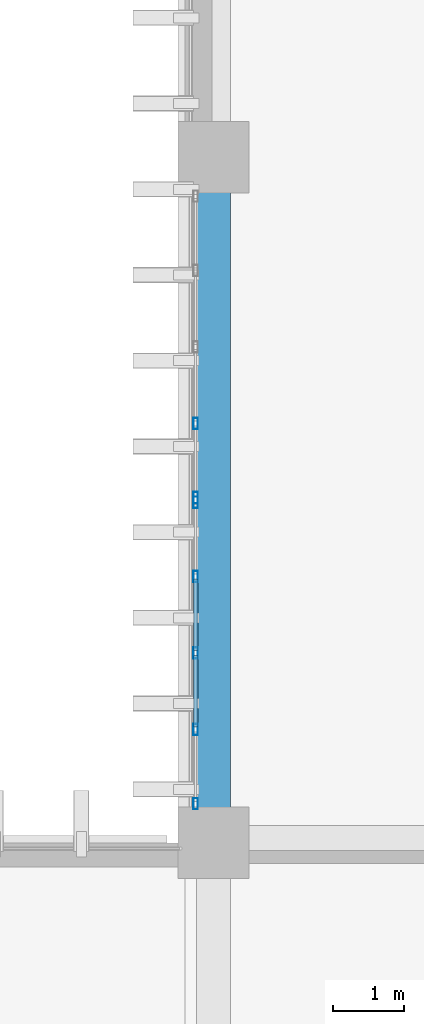
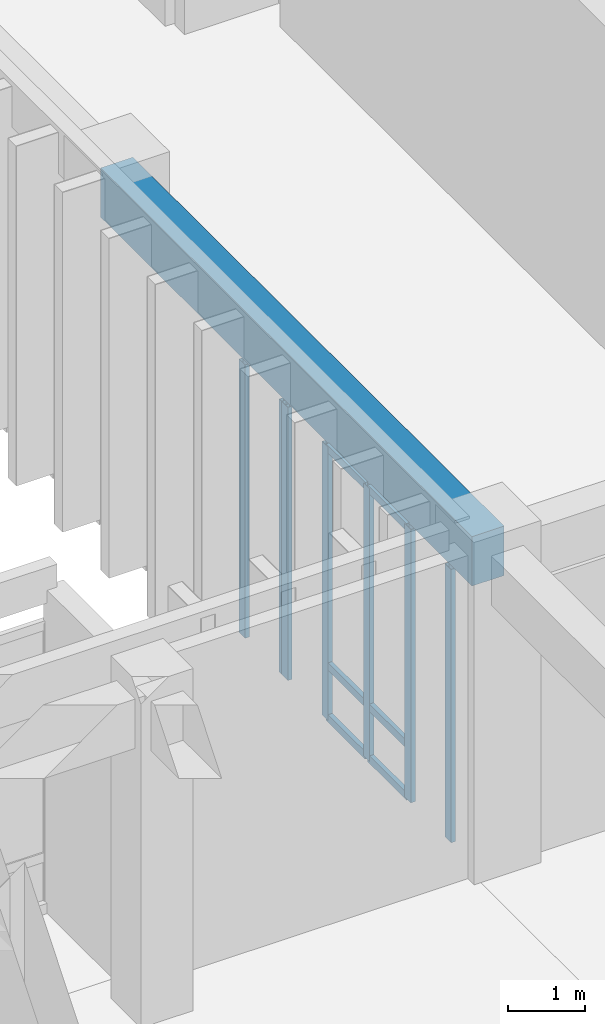
# One storey, part 78 of 134: 13 members, 1 beam, 2 elements without a shape of their own.
"""IFC4 building model written with IfcOpenShell, lengths in metres."""

import ifcopenshell
import ifcopenshell.guid

model = None  # the IFC model being written
_history = None  # IfcOwnerHistory: only IFC2X3 demands one
_inside = {}  # id of a spatial element -> (the spatial element, [elements in it])
_under = {}  # id of a project, library or spatial element -> (it, [spatial elements below it])
_declared = {}  # id of a project -> (the project, [libraries it declares])
_typed = {}  # id of a type object -> (the type object, [elements of that type])
_made_of = {}  # id of a material, layer set ... -> (it, [elements and type objects made of it])


def new_model(schema):
    """Start an empty IFC model of exactly this schema.

    Asked for "IFC4X3", IfcOpenShell would pick the latest addendum, in which some entities
    have other attributes; the version numbers below select the first issue.
    IFC2X3 requires an IfcOwnerHistory on every rooted entity: one is made here for all.
    """
    global model, _history
    if schema == "IFC4X3":
        model = ifcopenshell.file(schema_version=(4, 3, 0, 0))
    else:
        model = ifcopenshell.file(schema=schema)
    _inside.clear()
    _under.clear()
    _declared.clear()
    _typed.clear()
    _made_of.clear()
    _history = None
    if model.schema == "IFC2X3":
        org = make("IfcOrganization", Name="unknown")
        user = make(
            "IfcPersonAndOrganization",
            ThePerson=make("IfcPerson", FamilyName="unknown"),
            TheOrganization=org,
        )
        app = make(
            "IfcApplication",
            ApplicationDeveloper=org,
            Version="unknown",
            ApplicationFullName="unknown",
            ApplicationIdentifier="unknown",
        )
        _history = make(
            "IfcOwnerHistory",
            OwningUser=user,
            OwningApplication=app,
            ChangeAction="ADDED",
            CreationDate=0,
        )
    return model


def make(cls, **values):
    """One entity of the class cls with the attributes given. An attribute that is None is left unset."""
    return model.create_entity(
        cls, **{name: value for name, value in values.items() if value is not None}
    )


def rooted(cls, **values):
    """An entity with a GlobalId (a new one), such as an element, a storey or a relation."""
    return make(cls, GlobalId=ifcopenshell.guid.new(), OwnerHistory=_history, **values)


def si_unit(unit_type, name, prefix=None):
    """IfcSIUnit, for example si_unit("LENGTHUNIT", "METRE", prefix="MILLI")."""
    return make("IfcSIUnit", UnitType=unit_type, Prefix=prefix, Name=name)


def assignment(units):
    """IfcUnitAssignment: the units of a project."""
    return None if units is None else make("IfcUnitAssignment", Units=units)


def point(xyz):
    """IfcCartesianPoint."""
    return None if xyz is None else make("IfcCartesianPoint", Coordinates=xyz)


def direction(xyz):
    """IfcDirection."""
    return None if xyz is None else make("IfcDirection", DirectionRatios=xyz)


def frame(location, z_axis=None, x_axis=None):
    """IfcAxis2Placement3D, a coordinate frame: its origin and axes. An axis left out is left unset."""
    return make(
        "IfcAxis2Placement3D",
        Location=point(location),
        Axis=direction(z_axis),
        RefDirection=direction(x_axis),
    )


def frame_2d(location, x_axis=None):
    """IfcAxis2Placement2D, a coordinate frame in the plane: its origin and x axis."""
    return make(
        "IfcAxis2Placement2D", Location=point(location), RefDirection=direction(x_axis)
    )


def origin():
    """The frame at (0, 0, 0) with its axes left unset."""
    return frame((0.0, 0.0, 0.0))


def origin_2d():
    """The frame at (0, 0) in the plane with its x axis left unset."""
    return frame_2d((0.0, 0.0))


def place(relative_to, where):
    """IfcLocalPlacement: puts the frame where relative to a parent placement (None: the world)."""
    return make(
        "IfcLocalPlacement", PlacementRelTo=relative_to, RelativePlacement=where
    )


def context(
    kind, dimensions, precision=None, world=None, true_north=None, identifier=None
):
    """IfcGeometricRepresentationContext, for example the 3D "Model" context."""
    return make(
        "IfcGeometricRepresentationContext",
        ContextIdentifier=identifier,
        ContextType=kind,
        CoordinateSpaceDimension=dimensions,
        Precision=precision,
        WorldCoordinateSystem=world,
        TrueNorth=true_north,
    )


def subcontext(parent, identifier, kind, view, scale=None):
    """IfcGeometricRepresentationSubContext, for example "Body" below "Model"."""
    return make(
        "IfcGeometricRepresentationSubContext",
        ContextIdentifier=identifier,
        ContextType=kind,
        ParentContext=parent,
        TargetScale=scale,
        TargetView=view,
    )


def project(units=None, contexts=None):
    """IfcProject with its units and contexts."""
    return rooted(
        "IfcProject",
        Name="project",
        RepresentationContexts=contexts,
        UnitsInContext=assignment(units),
    )


def spatial(cls, under=None, at=None, **own):
    """A site, building, storey or space (cls), placed at a placement, below another one or the project."""
    s = rooted(cls, ObjectPlacement=at, **own)
    if under is not None:
        _under.setdefault(under.id(), (under, []))[1].append(s)
    return s


def profile(cls, at=None, kind="AREA", **sizes):
    """A parametric profile (cls). Its sizes go by their IFC names, for example OverallWidth=200.0."""
    return make(cls, ProfileType=kind, Position=at, **sizes)


def rectangle(**sizes):
    """IfcRectangleProfileDef."""
    return profile("IfcRectangleProfileDef", **sizes)


def hollow_rectangle(**sizes):
    """IfcRectangleHollowProfileDef."""
    return profile("IfcRectangleHollowProfileDef", **sizes)


def extrude(swept, where, along, depth):
    """IfcExtrudedAreaSolid: the profile swept, set in the frame where, extruded along a direction by depth."""
    return make(
        "IfcExtrudedAreaSolid",
        SweptArea=swept,
        Position=where,
        ExtrudedDirection=direction(along),
        Depth=depth,
    )


def shape(context_of_items, identifier, shape_type, items):
    """IfcShapeRepresentation: the items that make up one representation, for example the "Body"."""
    return make(
        "IfcShapeRepresentation",
        ContextOfItems=context_of_items,
        RepresentationIdentifier=identifier,
        RepresentationType=shape_type,
        Items=items,
    )


def material(Name=None, Category=None):
    """IfcMaterial."""
    return make("IfcMaterial", Name=Name, Category=Category)


def layer(
    of_material, thickness, ventilated=None, Name=None, Category=None, Priority=None
):
    """IfcMaterialLayer: one layer of a wall or slab, of a material (None: an air gap)."""
    return make(
        "IfcMaterialLayer",
        Material=of_material,
        LayerThickness=thickness,
        IsVentilated=ventilated,
        Name=Name,
        Category=Category,
        Priority=Priority,
    )


def layer_set(layers, Name=None):
    """IfcMaterialLayerSet."""
    return make("IfcMaterialLayerSet", MaterialLayers=layers, LayerSetName=Name)


def material_profile(
    of_material, cross_section, Name=None, Category=None, Priority=None
):
    """IfcMaterialProfile: a cross section and its material."""
    return make(
        "IfcMaterialProfile",
        Name=Name,
        Material=of_material,
        Profile=cross_section,
        Priority=Priority,
        Category=Category,
    )


def profile_set(profiles, Name=None, composite=None):
    """IfcMaterialProfileSet."""
    return make(
        "IfcMaterialProfileSet",
        Name=Name,
        MaterialProfiles=profiles,
        CompositeProfile=composite,
    )


def made_of(thing, what):
    """Note that an element or type object is made of a material, layer set ...; save() writes the relation."""
    if what is not None:
        _made_of.setdefault(what.id(), (what, []))[1].append(thing)
    return thing


def type_object(cls, material=None, **own):
    """A type object (cls), such as IfcWallType, which elements share."""
    return made_of(rooted(cls, **own), material)


def element(
    cls,
    number,
    at=None,
    inside=None,
    cuts=None,
    type_object=None,
    material=None,
    context=None,
    identifier="Body",
    shape_type=None,
    held_by="IfcProductDefinitionShape",
    body=None,
    shapes=None,
    **own,
):
    """One element of the class cls, such as IfcWall. Its Tag is "e" and its number.

    at: its placement. inside: the storey or other place that contains it. cuts: it is an
    opening in that element (IfcRelVoidsElement). A single representation is given by context,
    identifier, shape_type and body (its items); several are given by shapes. held_by: the class
    of the entity that holds the representations. save() writes the other relations.
    """
    e = rooted(cls, Tag="e%d" % number, ObjectPlacement=at, **own)
    if body is not None:
        shapes = [shape(context, identifier, shape_type, body)]
    if shapes is not None:
        e.Representation = make(held_by, Representations=shapes)
    if inside is not None:
        _inside.setdefault(inside.id(), (inside, []))[1].append(e)
    if cuts is not None:
        rooted(
            "IfcRelVoidsElement", RelatingBuildingElement=cuts, RelatedOpeningElement=e
        )
    if type_object is not None:
        _typed.setdefault(type_object.id(), (type_object, []))[1].append(e)
    return made_of(e, material)


def aggregate(whole, parts):
    """IfcRelAggregates: a whole, such as a stair, and the parts it consists of."""
    return rooted("IfcRelAggregates", RelatingObject=whole, RelatedObjects=parts)


def save(model, path):
    """Write the relations noted so far, then the file.

    IfcRelAggregates (storeys below a building ...), IfcRelContainedInSpatialStructure (elements
    in a storey), IfcRelDefinesByType, IfcRelAssociatesMaterial and IfcRelDeclares: one each for
    every whole, place, type object, material and project.
    """
    for whole, parts in _under.values():
        aggregate(whole, parts)
    for where, things in _inside.values():
        rooted(
            "IfcRelContainedInSpatialStructure",
            RelatedElements=things,
            RelatingStructure=where,
        )
    for kind, things in _typed.values():
        rooted("IfcRelDefinesByType", RelatedObjects=things, RelatingType=kind)
    for what, things in _made_of.values():
        rooted("IfcRelAssociatesMaterial", RelatedObjects=things, RelatingMaterial=what)
    for by, libraries in _declared.values():
        rooted("IfcRelDeclares", RelatingContext=by, RelatedDefinitions=libraries)
    model.write(path)


model = new_model("IFC4")

# Units and contexts
model_context = context("Model", 3, precision=1e-05, world=origin(), true_north=direction((0.0, 1.0)))
body_context = subcontext(model_context, "Body", "Model", "MODEL_VIEW")
ifc_project = project(units=[si_unit("LENGTHUNIT", "METRE"), si_unit("AREAUNIT", "SQUARE_METRE"), si_unit("VOLUMEUNIT", "CUBIC_METRE"), si_unit("PLANEANGLEUNIT", "RADIAN"), si_unit("MASSUNIT", "GRAM", prefix="KILO")], contexts=[model_context])

# Site, building, storey
site_placement = place(None, origin())
site = spatial("IfcSite", under=ifc_project, at=site_placement, CompositionType="ELEMENT")
building_placement = place(site_placement, origin())
building = spatial("IfcBuilding", under=site, at=building_placement, Name="Nakhvara Creek Congress Hotel", CompositionType="ELEMENT")
storey_placement = place(building_placement, frame((0.0, 0.0, 6.0)))
storey = spatial("IfcBuildingStorey", under=building, at=storey_placement, Name="L01", CompositionType="ELEMENT", Elevation=6.0)

# Beam
ifc_material_1 = material(Name="Concrete C40/50", Category="concrete")
ifc_material_profile_1 = material_profile(ifc_material_1, rectangle(XDim=0.47998046875, YDim=0.780029296875, at=origin_2d()), Name="RC-BM 480x780", Category="LoadBearing")
ifc_profile_set_1 = profile_set([ifc_material_profile_1], Name="Concrete C40/50")
beam_type = type_object("IfcBeamType", Name="BM-RC-480X780", PredefinedType="BEAM", material=ifc_profile_set_1)
beam_placement = place(storey_placement, frame((149.449951171875, 96.0, 4.7099609375), z_axis=(0.0, 1.0, 0.0), x_axis=(-1.0, 0.0, 0.0)))
element("IfcBeam", 1, at=beam_placement, inside=storey, type_object=beam_type, Name="Beam B13-L01-1291", PredefinedType="BEAM", context=body_context, shape_type="SweptSolid", body=[
    extrude(rectangle(XDim=0.47998046875, YDim=0.780029296875, at=origin_2d()), origin(), (0.0, 0.0, 1.0), 9.60009765625),
])

# Curtain wall, members
ifc_material_2 = material(Name="Bronze-anodised aluminium AW-6063-T6 and double-silver low-E glass", Category="aluminium")
ifc_layer = layer(ifc_material_2, 0.199951171875)
ifc_layer_set = layer_set([ifc_layer], Name="Bronze-anodised aluminium AW-6063-T6 and double-silver low-E glass")
curtain_wall_type = type_object("IfcCurtainWallType", Name="CW-HTL-UNIT", PredefinedType="USERDEFINED", material=ifc_layer_set)
curtain_wall_1_placement = place(storey_placement, origin())
curtain_wall_1 = element("IfcCurtainWall", 2, at=curtain_wall_1_placement, inside=storey, type_object=curtain_wall_type, Name="Curtain Wall CW120", ObjectType="UNITISED", PredefinedType="USERDEFINED")
ifc_material_3 = material(Name="Bronze-anodised aluminium AW-6063-T6", Category="aluminium")
ifc_material_profile_2 = material_profile(ifc_material_3, hollow_rectangle(XDim=0.06494140625, YDim=0.159912109375, WallThickness=0.00390625, at=origin_2d()), Name="ALU-MULL 65x160x4", Category="LoadBearing")
ifc_profile_set_2 = profile_set([ifc_material_profile_2], Name="Bronze-anodised aluminium AW-6063-T6")
member_type_1 = type_object("IfcMemberType", Name="CW-MULL-160", PredefinedType="MULLION", material=ifc_profile_set_2)
member_1_placement = place(storey_placement, frame((149.199951171875, 96.547607421875, 0.0), z_axis=(0.0, 0.0, 1.0), x_axis=(-1.0, 0.0, 0.0)))
member_1 = element("IfcMember", 3, at=member_1_placement, type_object=member_type_1, Name="CW120 mullion 1", PredefinedType="MULLION", context=body_context, shape_type="SweptSolid", body=[
    extrude(hollow_rectangle(XDim=0.06494140625, YDim=0.159912109375, WallThickness=0.00390625, at=origin_2d()), origin(), (0.0, 0.0, 1.0), 4.31201171875),
])
member_2_placement = place(storey_placement, frame((149.199951171875, 97.586181640625, 0.0), z_axis=(0.0, 0.0, 1.0), x_axis=(-1.0, 0.0, 0.0)))
member_2 = element("IfcMember", 4, at=member_2_placement, type_object=member_type_1, Name="CW120 mullion 2", PredefinedType="MULLION", context=body_context, shape_type="SweptSolid", body=[
    extrude(hollow_rectangle(XDim=0.06494140625, YDim=0.159912109375, WallThickness=0.00390625, at=origin_2d()), origin(), (0.0, 0.0, 1.0), 4.31201171875),
])
member_3_placement = place(storey_placement, frame((149.199951171875, 98.657470703125, 0.0), z_axis=(0.0, 0.0, 1.0), x_axis=(-1.0, 0.0, 0.0)))
member_3 = element("IfcMember", 5, at=member_3_placement, type_object=member_type_1, Name="CW120 mullion 3", PredefinedType="MULLION", context=body_context, shape_type="SweptSolid", body=[
    extrude(hollow_rectangle(XDim=0.06494140625, YDim=0.159912109375, WallThickness=0.00390625, at=origin_2d()), origin(), (0.0, 0.0, 1.0), 4.31201171875),
])
member_4_placement = place(storey_placement, frame((149.199951171875, 99.728759765625, 0.0), z_axis=(0.0, 0.0, 1.0), x_axis=(-1.0, 0.0, 0.0)))
member_4 = element("IfcMember", 6, at=member_4_placement, type_object=member_type_1, Name="CW120 mullion 4", PredefinedType="MULLION", context=body_context, shape_type="SweptSolid", body=[
    extrude(hollow_rectangle(XDim=0.06494140625, YDim=0.159912109375, WallThickness=0.00390625, at=origin_2d()), origin(), (0.0, 0.0, 1.0), 4.31201171875),
])
member_5_placement = place(storey_placement, frame((149.199951171875, 100.767578125, 0.0), z_axis=(0.0, 0.0, 1.0), x_axis=(-1.0, 0.0, 0.0)))
member_5 = element("IfcMember", 7, at=member_5_placement, type_object=member_type_1, Name="CW120 mullion 5", PredefinedType="MULLION", context=body_context, shape_type="SweptSolid", body=[
    extrude(hollow_rectangle(XDim=0.06494140625, YDim=0.159912109375, WallThickness=0.00390625, at=origin_2d()), origin(), (0.0, 0.0, 1.0), 4.31201171875),
])

curtain_wall_2_placement = place(storey_placement, origin())
curtain_wall_2 = element("IfcCurtainWall", 8, at=curtain_wall_2_placement, inside=storey, type_object=curtain_wall_type, Name="Curtain Wall CW122", ObjectType="UNITISED", PredefinedType="USERDEFINED")
member_6_placement = place(storey_placement, frame((149.199951171875, 100.83251953125, 0.0), z_axis=(0.0, 0.0, 1.0), x_axis=(-1.0, 0.0, 0.0)))
member_6 = element("IfcMember", 9, at=member_6_placement, type_object=member_type_1, Name="CW122 mullion 1", PredefinedType="MULLION", context=body_context, shape_type="SweptSolid", body=[
    extrude(hollow_rectangle(XDim=0.06494140625, YDim=0.159912109375, WallThickness=0.00390625, at=origin_2d()), origin(), (0.0, 0.0, 1.0), 4.31201171875),
])
member_7_placement = place(storey_placement, frame((149.199951171875, 101.871337890625, 0.0), z_axis=(0.0, 0.0, 1.0), x_axis=(-1.0, 0.0, 0.0)))
member_7 = element("IfcMember", 10, at=member_7_placement, type_object=member_type_1, Name="CW122 mullion 2", PredefinedType="MULLION", context=body_context, shape_type="SweptSolid", body=[
    extrude(hollow_rectangle(XDim=0.06494140625, YDim=0.159912109375, WallThickness=0.00390625, at=origin_2d()), origin(), (0.0, 0.0, 1.0), 4.31201171875),
])
aggregate(curtain_wall_2, [member_6, member_7])

# Member
ifc_material_profile_3 = material_profile(ifc_material_3, hollow_rectangle(XDim=0.06494140625, YDim=0.1201171875, WallThickness=0.00390625, at=origin_2d()), Name="ALU-TRAN 65x120x4", Category="LoadBearing")
ifc_profile_set_3 = profile_set([ifc_material_profile_3], Name="Bronze-anodised aluminium AW-6063-T6")
member_type_2 = type_object("IfcMemberType", Name="CW-TRAN-120", PredefinedType="USERDEFINED", material=ifc_profile_set_3)
member_8_placement = place(storey_placement, frame((149.199951171875, 97.61865234375, 0.032470703125), z_axis=(0.0, 1.0, 0.0), x_axis=(-1.0, 0.0, 0.0)))
member_8 = element("IfcMember", 11, at=member_8_placement, type_object=member_type_2, Name="CW120 transom 2.1", ObjectType="TRANSOM", PredefinedType="USERDEFINED", context=body_context, shape_type="SweptSolid", body=[
    extrude(hollow_rectangle(XDim=0.06494140625, YDim=0.1201171875, WallThickness=0.00390625, at=origin_2d()), origin(), (0.0, 0.0, 1.0), 1.00634765625),
])

member_9_placement = place(storey_placement, frame((149.199951171875, 97.61865234375, 0.85009765625), z_axis=(0.0, 1.0, 0.0), x_axis=(-1.0, 0.0, 0.0)))
member_9 = element("IfcMember", 12, at=member_9_placement, type_object=member_type_2, Name="CW120 transom 2.2", ObjectType="TRANSOM", PredefinedType="USERDEFINED", context=body_context, shape_type="SweptSolid", body=[
    extrude(hollow_rectangle(XDim=0.06494140625, YDim=0.1201171875, WallThickness=0.00390625, at=origin_2d()), origin(), (0.0, 0.0, 1.0), 1.00634765625),
])

member_10_placement = place(storey_placement, frame((149.199951171875, 97.61865234375, 4.279541015625), z_axis=(0.0, 1.0, 0.0), x_axis=(-1.0, 0.0, 0.0)))
member_10 = element("IfcMember", 13, at=member_10_placement, type_object=member_type_2, Name="CW120 transom 2.3", ObjectType="TRANSOM", PredefinedType="USERDEFINED", context=body_context, shape_type="SweptSolid", body=[
    extrude(hollow_rectangle(XDim=0.06494140625, YDim=0.1201171875, WallThickness=0.00390625, at=origin_2d()), origin(), (0.0, 0.0, 1.0), 1.00634765625),
])

member_11_placement = place(storey_placement, frame((149.199951171875, 98.68994140625, 0.032470703125), z_axis=(0.0, 1.0, 0.0), x_axis=(-1.0, 0.0, 0.0)))
member_11 = element("IfcMember", 14, at=member_11_placement, type_object=member_type_2, Name="CW120 transom 3.1", ObjectType="TRANSOM", PredefinedType="USERDEFINED", context=body_context, shape_type="SweptSolid", body=[
    extrude(hollow_rectangle(XDim=0.06494140625, YDim=0.1201171875, WallThickness=0.00390625, at=origin_2d()), origin(), (0.0, 0.0, 1.0), 1.00634765625),
])

member_12_placement = place(storey_placement, frame((149.199951171875, 98.68994140625, 0.85009765625), z_axis=(0.0, 1.0, 0.0), x_axis=(-1.0, 0.0, 0.0)))
member_12 = element("IfcMember", 15, at=member_12_placement, type_object=member_type_2, Name="CW120 transom 3.2", ObjectType="TRANSOM", PredefinedType="USERDEFINED", context=body_context, shape_type="SweptSolid", body=[
    extrude(hollow_rectangle(XDim=0.06494140625, YDim=0.1201171875, WallThickness=0.00390625, at=origin_2d()), origin(), (0.0, 0.0, 1.0), 1.00634765625),
])

member_13_placement = place(storey_placement, frame((149.199951171875, 98.68994140625, 4.279541015625), z_axis=(0.0, 1.0, 0.0), x_axis=(-1.0, 0.0, 0.0)))
member_13 = element("IfcMember", 16, at=member_13_placement, type_object=member_type_2, Name="CW120 transom 3.3", ObjectType="TRANSOM", PredefinedType="USERDEFINED", context=body_context, shape_type="SweptSolid", body=[
    extrude(hollow_rectangle(XDim=0.06494140625, YDim=0.1201171875, WallThickness=0.00390625, at=origin_2d()), origin(), (0.0, 0.0, 1.0), 1.00634765625),
])

aggregate(curtain_wall_1, [member_1, member_2, member_3, member_4, member_5, member_8, member_9, member_10, member_11, member_12, member_13])

save(model, "model.ifc")
